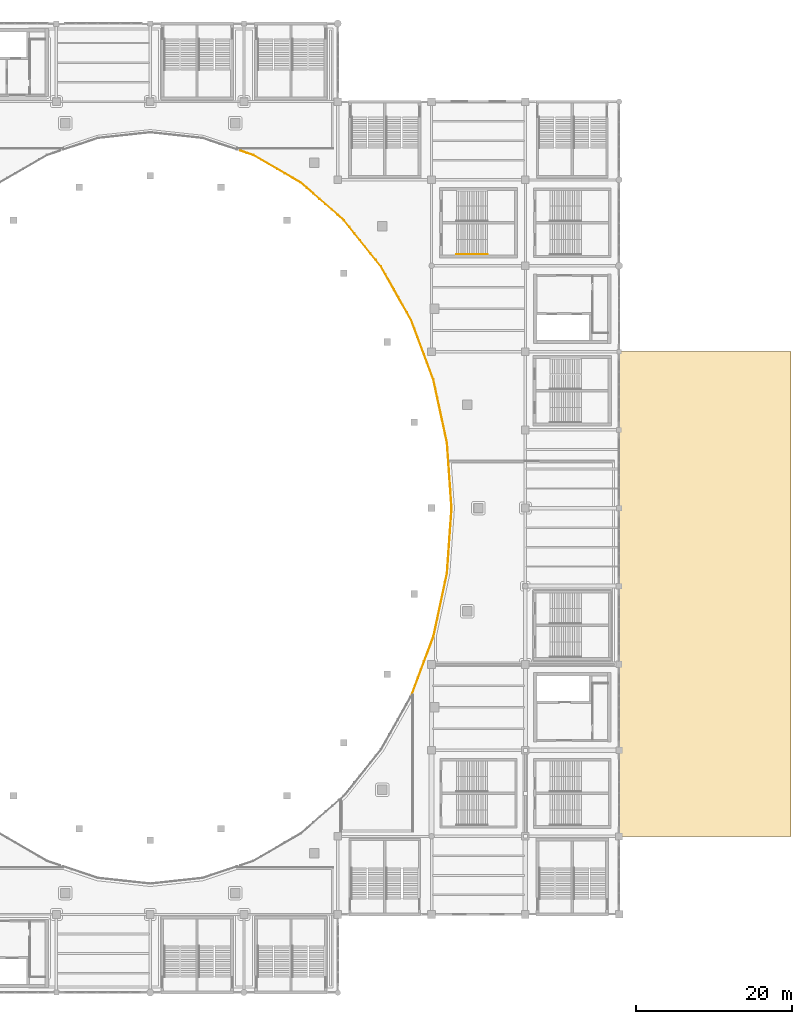
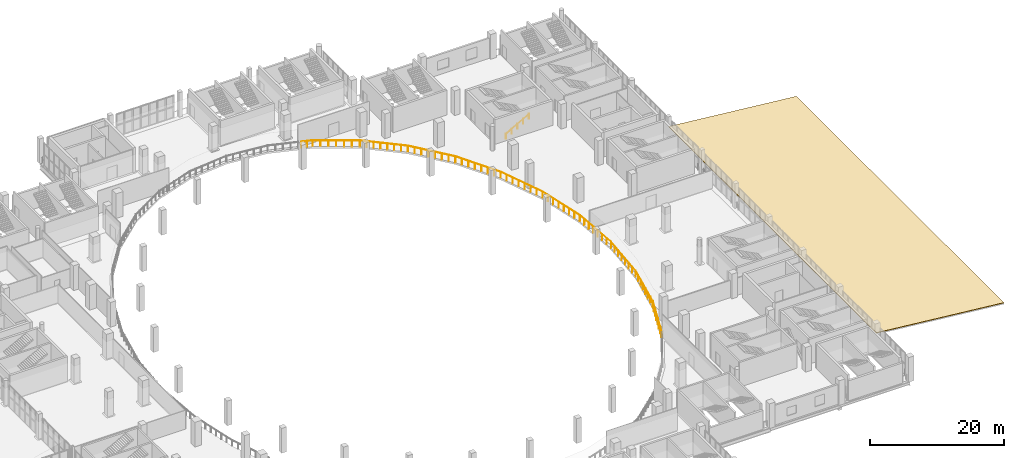
# One storey, part 107 of 108: 2 railings, 1 covering.
"""IFC4 building model written with IfcOpenShell, lengths in metres."""

from ifc_helpers import new_model, si_unit, direction, frame, origin, origin_2d, place, context, subcontext, project, spatial, polyline, circle, outline, extrude, material, layer, layer_set, type_object, element, save


model = new_model("IFC4")

# Units and contexts
model_context = context("Model", 3, precision=1e-05, world=origin(), true_north=direction((0.0, 1.0)))
body_context = subcontext(model_context, "Body", "Model", "MODEL_VIEW")
ifc_project = project(units=[si_unit("LENGTHUNIT", "METRE"), si_unit("AREAUNIT", "SQUARE_METRE"), si_unit("VOLUMEUNIT", "CUBIC_METRE"), si_unit("PLANEANGLEUNIT", "RADIAN"), si_unit("MASSUNIT", "GRAM", prefix="KILO")], contexts=[model_context])

# Site, building, storey
site_placement = place(None, origin())
site = spatial("IfcSite", under=ifc_project, at=site_placement, CompositionType="ELEMENT")
building_placement = place(site_placement, origin())
building = spatial("IfcBuilding", under=site, at=building_placement, Name="Brinegate Civic Arena", CompositionType="ELEMENT")
storey_placement = place(building_placement, frame((0.0, 0.0, 10.199951171875)))
storey = spatial("IfcBuildingStorey", under=building, at=storey_placement, Name="L02", CompositionType="ELEMENT", Elevation=10.199951171875)

# Railings
ifc_material_1 = material(Name="Architectural stainless steel balustrade", Category="steel")
railing_type_1 = type_object("IfcRailingType", Name="RAIL-STAIR-HANDRAIL-900", PredefinedType="HANDRAIL", material=ifc_material_1)
railing_1_placement = place(storey_placement, frame((147.169921875, 94.47509765625, 0.0)))
element("IfcRailing", 1, at=railing_1_placement, inside=storey, type_object=railing_type_1, Name="Stair Pitch Handrail ST-18A L02", PredefinedType="HANDRAIL", context=body_context, shape_type="SweptSolid", body=[
    extrude(circle(Radius=0.02392578125, at=origin_2d()), frame((0.001220703125, 0.0, 0.876708984375), z_axis=(0.871049806155, 0.0, 0.491194701923), x_axis=(0.0, 1.0, 0.0)), (0.0, 0.0, 1.0), 4.57763671875),
    extrude(circle(Radius=0.02099609375, at=origin_2d()), origin(), (0.0, 0.0, 1.0), 0.849853515625),
    extrude(circle(Radius=0.02099609375, at=origin_2d()), frame((0.99755859375, 0.0, 0.5625)), (0.0, 0.0, 1.0), 0.849853515625),
    extrude(circle(Radius=0.02099609375, at=origin_2d()), frame((1.9951171875, 0.0, 1.125)), (0.0, 0.0, 1.0), 0.849853515625),
    extrude(circle(Radius=0.02099609375, at=origin_2d()), frame((2.992431640625, 0.0, 1.6875)), (0.0, 0.0, 1.0), 0.849853515625),
    extrude(circle(Radius=0.02099609375, at=origin_2d()), frame((3.989990234375, 0.0, 2.25)), (0.0, 0.0, 1.0), 0.849853515625),
])
railing_type_2 = type_object("IfcRailingType", Name="RAIL-VOID-BALUSTRADE-1120", PredefinedType="BALUSTRADE", material=ifc_material_1)
railing_2_placement = place(storey_placement, frame((141.4609375, 38.118896484375, 0.0)))
element("IfcRailing", 2, at=railing_2_placement, inside=storey, type_object=railing_type_2, Name="Deck Edge Balustrade L02-205", PredefinedType="BALUSTRADE", context=body_context, shape_type="SweptSolid", body=[
    extrude(circle(Radius=0.02392578125, at=origin_2d()), frame((0.00048828125, 0.00146484375, 1.09619140625), z_axis=(0.350378889106, 0.936608047194, 0.0), x_axis=(-0.936608047194, 0.350378889106, 0.0)), (0.0, 0.0, 1.0), 7.939697265625),
    extrude(circle(Radius=0.02392578125, at=origin_2d()), frame((2.783203125, 7.440673828125, 1.09619140625), z_axis=(0.210113252843, 0.97767705352, 0.0), x_axis=(-0.97767705352, 0.210113252843, 0.0)), (0.0, 0.0, 1.0), 8.2734375),
    extrude(circle(Radius=0.02392578125, at=origin_2d()), frame((4.52197265625, 15.532470703125, 1.09619140625), z_axis=(0.070185162482, 0.997533980858, 0.0), x_axis=(-0.997533980858, 0.070185162482, 0.0)), (0.0, 0.0, 1.0), 8.36279296875),
    extrude(circle(Radius=0.02392578125, at=origin_2d()), frame((5.109130859375, 23.877685546875, 1.09619140625), z_axis=(-0.069925837565, 0.99755219274, 0.0), x_axis=(-0.99755219274, -0.069925837565, 0.0)), (0.0, 0.0, 1.0), 8.362548828125),
    extrude(circle(Radius=0.02392578125, at=origin_2d()), frame((4.52392578125, 32.22265625, 1.09619140625), z_axis=(-0.210113252843, 0.97767705352, 0.0), x_axis=(-0.97767705352, -0.210113252843, 0.0)), (0.0, 0.0, 1.0), 8.2734375),
    extrude(circle(Radius=0.02392578125, at=origin_2d()), frame((2.78466796875, 40.314453125, 1.09619140625), z_axis=(-0.350123154661, 0.936703675967, 0.0), x_axis=(-0.936703675967, -0.350123154661, 0.0)), (0.0, 0.0, 1.0), 8.10302734375),
    extrude(circle(Radius=0.02392578125, at=origin_2d()), frame((-0.0537109375, 47.9072265625, 1.09619140625), z_axis=(-0.489638192465, 0.87192570812, 0.0), x_axis=(-0.87192570812, -0.489638192465, 0.0)), (0.0, 0.0, 1.0), 7.8681640625),
    extrude(circle(Radius=0.02392578125, at=origin_2d()), frame((-3.907958984375, 54.770263671875, 1.09619140625), z_axis=(-0.625588309154, 0.780153361493, 0.0), x_axis=(-0.780153361493, -0.625588309154, 0.0)), (0.0, 0.0, 1.0), 7.593017578125),
    extrude(circle(Radius=0.02392578125, at=origin_2d()), frame((-8.66015625, 60.696044921875, 1.09619140625), z_axis=(-0.753236306491, 0.657750003105, 0.0), x_axis=(-0.657750003105, -0.753236306491, 0.0)), (0.0, 0.0, 1.0), 7.306884765625),
    extrude(circle(Radius=0.02392578125, at=origin_2d()), frame((-14.166259765625, 65.50390625, 1.09619140625), z_axis=(-0.86441512171, 0.502778775764, 0.0), x_axis=(-0.502778775764, -0.86441512171, 0.0)), (0.0, 0.0, 1.0), 7.045654296875),
    extrude(circle(Radius=0.02392578125, at=origin_2d()), frame((-20.259521484375, 69.047607421875, 1.09619140625), z_axis=(-0.948276792423, 0.317444680143, 0.0), x_axis=(-0.317444680143, -0.948276792423, 0.0)), (0.0, 0.0, 1.0), 1.741943359375),
    extrude(circle(Radius=0.02099609375, at=origin_2d()), origin(), (0.0, 0.0, 1.0), 1.070068359375),
    extrude(circle(Radius=0.02099609375, at=origin_2d()), frame((0.3974609375, 1.062744140625, 0.0)), (0.0, 0.0, 1.0), 1.070068359375),
    extrude(circle(Radius=0.02099609375, at=origin_2d()), frame((0.795166015625, 2.12548828125, 0.0)), (0.0, 0.0, 1.0), 1.070068359375),
    extrude(circle(Radius=0.02099609375, at=origin_2d()), frame((1.192626953125, 3.188232421875, 0.0)), (0.0, 0.0, 1.0), 1.070068359375),
    extrude(circle(Radius=0.02099609375, at=origin_2d()), frame((1.59033203125, 4.2509765625, 0.0)), (0.0, 0.0, 1.0), 1.070068359375),
    extrude(circle(Radius=0.02099609375, at=origin_2d()), frame((1.98779296875, 5.313720703125, 0.0)), (0.0, 0.0, 1.0), 1.070068359375),
    extrude(circle(Radius=0.02099609375, at=origin_2d()), frame((2.385498046875, 6.37646484375, 0.0)), (0.0, 0.0, 1.0), 1.070068359375),
    extrude(circle(Radius=0.02099609375, at=origin_2d()), frame((2.782958984375, 7.439208984375, 0.0)), (0.0, 0.0, 1.0), 1.070068359375),
    extrude(circle(Radius=0.02099609375, at=origin_2d()), frame((3.031494140625, 8.59521484375, 0.0)), (0.0, 0.0, 1.0), 1.070068359375),
    extrude(circle(Radius=0.02099609375, at=origin_2d()), frame((3.27978515625, 9.751220703125, 0.0)), (0.0, 0.0, 1.0), 1.070068359375),
    extrude(circle(Radius=0.02099609375, at=origin_2d()), frame((3.5283203125, 10.9072265625, 0.0)), (0.0, 0.0, 1.0), 1.070068359375),
    extrude(circle(Radius=0.02099609375, at=origin_2d()), frame((3.776611328125, 12.06298828125, 0.0)), (0.0, 0.0, 1.0), 1.070068359375),
    extrude(circle(Radius=0.02099609375, at=origin_2d()), frame((4.025146484375, 13.218994140625, 0.0)), (0.0, 0.0, 1.0), 1.070068359375),
    extrude(circle(Radius=0.02099609375, at=origin_2d()), frame((4.2734375, 14.375, 0.0)), (0.0, 0.0, 1.0), 1.070068359375),
    extrude(circle(Radius=0.02099609375, at=origin_2d()), frame((4.52197265625, 15.531005859375, 0.0)), (0.0, 0.0, 1.0), 1.070068359375),
    extrude(circle(Radius=0.02099609375, at=origin_2d()), frame((4.60595703125, 16.72314453125, 0.0)), (0.0, 0.0, 1.0), 1.070068359375),
    extrude(circle(Radius=0.02099609375, at=origin_2d()), frame((4.689697265625, 17.915283203125, 0.0)), (0.0, 0.0, 1.0), 1.070068359375),
    extrude(circle(Radius=0.02099609375, at=origin_2d()), frame((4.773681640625, 19.107421875, 0.0)), (0.0, 0.0, 1.0), 1.070068359375),
    extrude(circle(Radius=0.02099609375, at=origin_2d()), frame((4.857421875, 20.2998046875, 0.0)), (0.0, 0.0, 1.0), 1.070068359375),
    extrude(circle(Radius=0.02099609375, at=origin_2d()), frame((4.94140625, 21.491943359375, 0.0)), (0.0, 0.0, 1.0), 1.070068359375),
    extrude(circle(Radius=0.02099609375, at=origin_2d()), frame((5.025146484375, 22.68408203125, 0.0)), (0.0, 0.0, 1.0), 1.070068359375),
    extrude(circle(Radius=0.02099609375, at=origin_2d()), frame((5.109130859375, 23.876220703125, 0.0)), (0.0, 0.0, 1.0), 1.070068359375),
    extrude(circle(Radius=0.02099609375, at=origin_2d()), frame((5.025634765625, 25.068359375, 0.0)), (0.0, 0.0, 1.0), 1.070068359375),
    extrude(circle(Radius=0.02099609375, at=origin_2d()), frame((4.94189453125, 26.260498046875, 0.0)), (0.0, 0.0, 1.0), 1.070068359375),
    extrude(circle(Radius=0.02099609375, at=origin_2d()), frame((4.8583984375, 27.45263671875, 0.0)), (0.0, 0.0, 1.0), 1.070068359375),
    extrude(circle(Radius=0.02099609375, at=origin_2d()), frame((4.77490234375, 28.644775390625, 0.0)), (0.0, 0.0, 1.0), 1.070068359375),
    extrude(circle(Radius=0.02099609375, at=origin_2d()), frame((4.69140625, 29.8369140625, 0.0)), (0.0, 0.0, 1.0), 1.070068359375),
    extrude(circle(Radius=0.02099609375, at=origin_2d()), frame((4.607666015625, 31.029052734375, 0.0)), (0.0, 0.0, 1.0), 1.070068359375),
    extrude(circle(Radius=0.02099609375, at=origin_2d()), frame((4.524169921875, 32.22119140625, 0.0)), (0.0, 0.0, 1.0), 1.070068359375),
    extrude(circle(Radius=0.02099609375, at=origin_2d()), frame((4.275634765625, 33.377197265625, 0.0)), (0.0, 0.0, 1.0), 1.070068359375),
    extrude(circle(Radius=0.02099609375, at=origin_2d()), frame((4.02734375, 34.533203125, 0.0)), (0.0, 0.0, 1.0), 1.070068359375),
    extrude(circle(Radius=0.02099609375, at=origin_2d()), frame((3.77880859375, 35.689208984375, 0.0)), (0.0, 0.0, 1.0), 1.070068359375),
    extrude(circle(Radius=0.02099609375, at=origin_2d()), frame((3.530517578125, 36.844970703125, 0.0)), (0.0, 0.0, 1.0), 1.070068359375),
    extrude(circle(Radius=0.02099609375, at=origin_2d()), frame((3.281982421875, 38.0009765625, 0.0)), (0.0, 0.0, 1.0), 1.070068359375),
    extrude(circle(Radius=0.02099609375, at=origin_2d()), frame((3.03369140625, 39.156982421875, 0.0)), (0.0, 0.0, 1.0), 1.070068359375),
    extrude(circle(Radius=0.02099609375, at=origin_2d()), frame((2.78515625, 40.31298828125, 0.0)), (0.0, 0.0, 1.0), 1.070068359375),
    extrude(circle(Radius=0.02099609375, at=origin_2d()), frame((2.379638671875, 41.397705078125, 0.0)), (0.0, 0.0, 1.0), 1.070068359375),
    extrude(circle(Radius=0.02099609375, at=origin_2d()), frame((1.974365234375, 42.482421875, 0.0)), (0.0, 0.0, 1.0), 1.070068359375),
    extrude(circle(Radius=0.02099609375, at=origin_2d()), frame((1.56884765625, 43.567138671875, 0.0)), (0.0, 0.0, 1.0), 1.070068359375),
    extrude(circle(Radius=0.02099609375, at=origin_2d()), frame((1.163330078125, 44.65185546875, 0.0)), (0.0, 0.0, 1.0), 1.070068359375),
    extrude(circle(Radius=0.02099609375, at=origin_2d()), frame((0.7578125, 45.736572265625, 0.0)), (0.0, 0.0, 1.0), 1.070068359375),
    extrude(circle(Radius=0.02099609375, at=origin_2d()), frame((0.3525390625, 46.8212890625, 0.0)), (0.0, 0.0, 1.0), 1.070068359375),
    extrude(circle(Radius=0.02099609375, at=origin_2d()), frame((-0.052978515625, 47.906005859375, 0.0)), (0.0, 0.0, 1.0), 1.070068359375),
    extrude(circle(Radius=0.02099609375, at=origin_2d()), frame((-0.603515625, 48.886474609375, 0.0)), (0.0, 0.0, 1.0), 1.070068359375),
    extrude(circle(Radius=0.02099609375, at=origin_2d()), frame((-1.154052734375, 49.866943359375, 0.0)), (0.0, 0.0, 1.0), 1.070068359375),
    extrude(circle(Radius=0.02099609375, at=origin_2d()), frame((-1.70458984375, 50.847412109375, 0.0)), (0.0, 0.0, 1.0), 1.070068359375),
    extrude(circle(Radius=0.02099609375, at=origin_2d()), frame((-2.25537109375, 51.82763671875, 0.0)), (0.0, 0.0, 1.0), 1.070068359375),
    extrude(circle(Radius=0.02099609375, at=origin_2d()), frame((-2.805908203125, 52.80810546875, 0.0)), (0.0, 0.0, 1.0), 1.070068359375),
    extrude(circle(Radius=0.02099609375, at=origin_2d()), frame((-3.3564453125, 53.78857421875, 0.0)), (0.0, 0.0, 1.0), 1.070068359375),
    extrude(circle(Radius=0.02099609375, at=origin_2d()), frame((-3.906982421875, 54.76904296875, 0.0)), (0.0, 0.0, 1.0), 1.070068359375),
    extrude(circle(Radius=0.02099609375, at=origin_2d()), frame((-4.5859375, 55.61572265625, 0.0)), (0.0, 0.0, 1.0), 1.070068359375),
    extrude(circle(Radius=0.02099609375, at=origin_2d()), frame((-5.2646484375, 56.462158203125, 0.0)), (0.0, 0.0, 1.0), 1.070068359375),
    extrude(circle(Radius=0.02099609375, at=origin_2d()), frame((-5.943603515625, 57.308837890625, 0.0)), (0.0, 0.0, 1.0), 1.070068359375),
    extrude(circle(Radius=0.02099609375, at=origin_2d()), frame((-6.622314453125, 58.1552734375, 0.0)), (0.0, 0.0, 1.0), 1.070068359375),
    extrude(circle(Radius=0.02099609375, at=origin_2d()), frame((-7.30126953125, 59.001953125, 0.0)), (0.0, 0.0, 1.0), 1.070068359375),
    extrude(circle(Radius=0.02099609375, at=origin_2d()), frame((-7.97998046875, 59.848388671875, 0.0)), (0.0, 0.0, 1.0), 1.070068359375),
    extrude(circle(Radius=0.02099609375, at=origin_2d()), frame((-8.658935546875, 60.695068359375, 0.0)), (0.0, 0.0, 1.0), 1.070068359375),
    extrude(circle(Radius=0.02099609375, at=origin_2d()), frame((-9.445556640625, 61.3818359375, 0.0)), (0.0, 0.0, 1.0), 1.070068359375),
    extrude(circle(Radius=0.02099609375, at=origin_2d()), frame((-10.232177734375, 62.06884765625, 0.0)), (0.0, 0.0, 1.0), 1.070068359375),
    extrude(circle(Radius=0.02099609375, at=origin_2d()), frame((-11.018798828125, 62.755615234375, 0.0)), (0.0, 0.0, 1.0), 1.070068359375),
    extrude(circle(Radius=0.02099609375, at=origin_2d()), frame((-11.80517578125, 63.442626953125, 0.0)), (0.0, 0.0, 1.0), 1.070068359375),
    extrude(circle(Radius=0.02099609375, at=origin_2d()), frame((-12.591796875, 64.12939453125, 0.0)), (0.0, 0.0, 1.0), 1.070068359375),
    extrude(circle(Radius=0.02099609375, at=origin_2d()), frame((-13.37841796875, 64.81640625, 0.0)), (0.0, 0.0, 1.0), 1.070068359375),
    extrude(circle(Radius=0.02099609375, at=origin_2d()), frame((-14.1650390625, 65.503173828125, 0.0)), (0.0, 0.0, 1.0), 1.070068359375),
    extrude(circle(Radius=0.02099609375, at=origin_2d()), frame((-15.1806640625, 66.09375, 0.0)), (0.0, 0.0, 1.0), 1.070068359375),
    extrude(circle(Radius=0.02099609375, at=origin_2d()), frame((-16.196044921875, 66.6845703125, 0.0)), (0.0, 0.0, 1.0), 1.070068359375),
    extrude(circle(Radius=0.02099609375, at=origin_2d()), frame((-17.21142578125, 67.275146484375, 0.0)), (0.0, 0.0, 1.0), 1.070068359375),
    extrude(circle(Radius=0.02099609375, at=origin_2d()), frame((-18.22705078125, 67.86572265625, 0.0)), (0.0, 0.0, 1.0), 1.070068359375),
    extrude(circle(Radius=0.02099609375, at=origin_2d()), frame((-19.24267578125, 68.45654296875, 0.0)), (0.0, 0.0, 1.0), 1.070068359375),
    extrude(circle(Radius=0.02099609375, at=origin_2d()), frame((-20.258056640625, 69.047119140625, 0.0)), (0.0, 0.0, 1.0), 1.070068359375),
    extrude(circle(Radius=0.02099609375, at=origin_2d()), frame((-21.08544921875, 69.32421875, 0.0)), (0.0, 0.0, 1.0), 1.070068359375),
    extrude(circle(Radius=0.02099609375, at=origin_2d()), frame((-21.912841796875, 69.60107421875, 0.0)), (0.0, 0.0, 1.0), 1.070068359375),
])

# Covering
ifc_material_2 = material(Name="Standing-seam insulated aluminium roofing", Category="aluminium")
ifc_layer = layer(ifc_material_2, 0.10009765625, Name="Standing-seam insulated aluminium roofing")
ifc_layer_set = layer_set([ifc_layer], Name="Standing-seam insulated aluminium roofing")
covering_type = type_object("IfcCoveringType", Name="ROOFING-WING-SEAM-100", PredefinedType="ROOFING", material=ifc_layer_set)
covering_placement = place(storey_placement, frame((168.0, 20.0, 2.505126953125), z_axis=(0.099512465328, 0.0, 0.99503631554), x_axis=(0.99503631554, 0.0, -0.099512465328)))
element("IfcCovering", 3, at=covering_placement, inside=storey, type_object=covering_type, Name="Standing Seam Roof Covering RFG-007", PredefinedType="ROOFING", context=body_context, shape_type="SweptSolid", body=[
    extrude(outline(polyline([(0.0, 0.0), (22.109745801640212, 0.0), (22.109745801640212, 62.0), (0.0, 62.0), (0.0, 0.0)])), origin(), (0.0, 0.0, -1.0), 0.10009765625),
])

save(model, "model.ifc")
